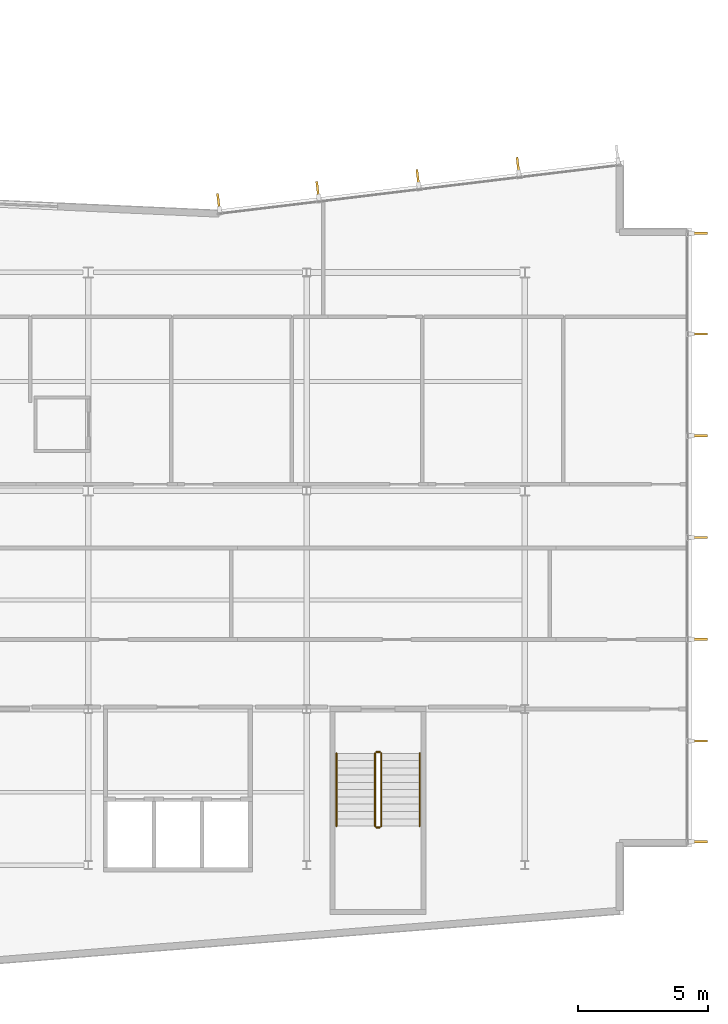
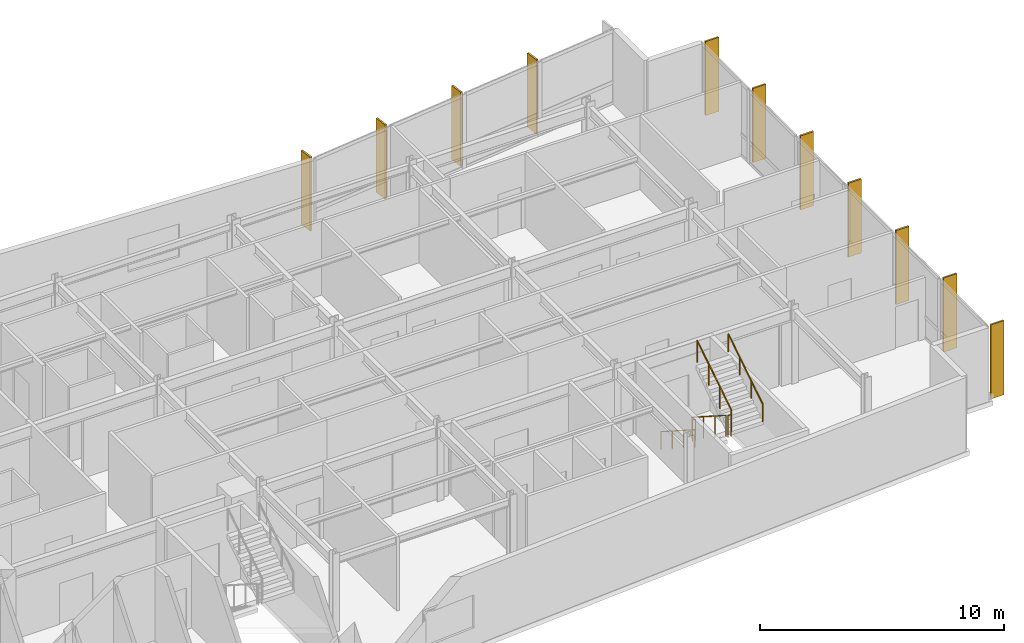
# One storey, part 16 of 18: 11 shading devices, 6 railings.
"""IFC4 building model written with IfcOpenShell, lengths in metres."""

from ifc_helpers import new_model, si_unit, direction, frame, origin, origin_2d, place, context, subcontext, project, spatial, rectangle, circle, extrude, material, layer, layer_set, type_object, element, save


model = new_model("IFC4")

# Units and contexts
model_context = context("Model", 3, precision=1e-05, world=origin(), true_north=direction((0.0, 1.0)))
body_context = subcontext(model_context, "Body", "Model", "MODEL_VIEW")
ifc_project = project(units=[si_unit("LENGTHUNIT", "METRE"), si_unit("AREAUNIT", "SQUARE_METRE"), si_unit("VOLUMEUNIT", "CUBIC_METRE"), si_unit("PLANEANGLEUNIT", "RADIAN"), si_unit("MASSUNIT", "GRAM", prefix="KILO")], contexts=[model_context])

# Site, building, storey
site_placement = place(None, origin())
site = spatial("IfcSite", under=ifc_project, at=site_placement, CompositionType="ELEMENT")
building_placement = place(site_placement, origin())
building = spatial("IfcBuilding", under=site, at=building_placement, Name="Varnakote Quay Hospital", CompositionType="ELEMENT")
storey_placement = place(building_placement, frame((0.0, 0.0, 119.14990234375)))
storey = spatial("IfcBuildingStorey", under=building, at=storey_placement, Name="L29", CompositionType="ELEMENT", Elevation=119.14990234375)

# Railings
ifc_material_1 = material(Name="Brushed stainless steel balustrade", Category="steel")
railing_type_1 = type_object("IfcRailingType", Name="RLG-STAIR-GUARD-1150", PredefinedType="GUARDRAIL", material=ifc_material_1)
railing_1_placement = place(storey_placement, frame((44.6298828125, 10.300048828125, 0.1796875)))
element("IfcRailing", 1, at=railing_1_placement, inside=storey, type_object=railing_type_1, Name="L29 ST-03 stair guard 1", PredefinedType="GUARDRAIL", context=body_context, shape_type="SweptSolid", body=[
    extrude(circle(Radius=0.02392578125, at=origin_2d()), frame((0.0, 0.0, 1.076171875), z_axis=(0.0, -0.841809871826, 0.539774156196), x_axis=(1.0, 0.0, 0.0)), (0.0, 0.0, 1.0), 3.326171875),
    extrude(circle(Radius=0.02099609375, at=origin_2d()), origin(), (0.0, 0.0, 1.0), 1.052001953125),
    extrude(circle(Radius=0.02099609375, at=origin_2d()), frame((0.0, -0.933349609375, 0.598388671875)), (0.0, 0.0, 1.0), 1.052001953125),
    extrude(circle(Radius=0.02099609375, at=origin_2d()), frame((0.0, -1.86669921875, 1.197021484375)), (0.0, 0.0, 1.0), 1.052001953125),
    extrude(circle(Radius=0.02099609375, at=origin_2d()), frame((0.0, -2.800048828125, 1.79541015625)), (0.0, 0.0, 1.0), 1.052001953125),
])
railing_2_placement = place(storey_placement, frame((44.679931640625, 7.449951171875, 1.97509765625)))
element("IfcRailing", 2, at=railing_2_placement, inside=storey, type_object=railing_type_1, Name="L29 ST-03 stair guard 2", PredefinedType="GUARDRAIL", context=body_context, shape_type="SweptSolid", body=[
    extrude(circle(Radius=0.02392578125, at=origin_2d()), frame((0.0, 0.0, 1.076171875), z_axis=(1.0, 0.0, 0.0), x_axis=(0.0, 1.0, 0.0)), (0.0, 0.0, 1.0), 0.14013671875),
    extrude(circle(Radius=0.02099609375, at=origin_2d()), origin(), (0.0, 0.0, 1.0), 1.052001953125),
    extrude(circle(Radius=0.02099609375, at=origin_2d()), frame((0.14013671875, 0.0, 0.0)), (0.0, 0.0, 1.0), 1.052001953125),
])
railing_3_placement = place(storey_placement, frame((44.8701171875, 7.5, 2.154541015625)))
element("IfcRailing", 3, at=railing_3_placement, inside=storey, type_object=railing_type_1, Name="L29 ST-03 stair guard 3", PredefinedType="GUARDRAIL", context=body_context, shape_type="SweptSolid", body=[
    extrude(circle(Radius=0.02392578125, at=origin_2d()), frame((0.0, 0.0, 1.076171875), z_axis=(0.0, 0.841776520102, 0.539826166654), x_axis=(-1.0, 0.0, 0.0)), (0.0, 0.0, 1.0), 3.326416015625),
    extrude(circle(Radius=0.02099609375, at=origin_2d()), origin(), (0.0, 0.0, 1.0), 1.052001953125),
    extrude(circle(Radius=0.02099609375, at=origin_2d()), frame((0.0, 0.933349609375, 0.5986328125)), (0.0, 0.0, 1.0), 1.052001953125),
    extrude(circle(Radius=0.02099609375, at=origin_2d()), frame((0.0, 1.86669921875, 1.197021484375)), (0.0, 0.0, 1.0), 1.052001953125),
    extrude(circle(Radius=0.02099609375, at=origin_2d()), frame((0.0, 2.800048828125, 1.795654296875)), (0.0, 0.0, 1.0), 1.052001953125),
])
railing_4_placement = place(storey_placement, frame((44.679931640625, 10.35009765625, 0.0)))
element("IfcRailing", 4, at=railing_4_placement, inside=storey, type_object=railing_type_1, Name="L29 ST-03 stair guard 4", PredefinedType="GUARDRAIL", context=body_context, shape_type="SweptSolid", body=[
    extrude(circle(Radius=0.02392578125, at=origin_2d()), frame((0.0, 0.0, 1.076171875), z_axis=(1.0, 0.0, 0.0), x_axis=(0.0, 1.0, 0.0)), (0.0, 0.0, 1.0), 0.14013671875),
    extrude(circle(Radius=0.02099609375, at=origin_2d()), origin(), (0.0, 0.0, 1.0), 1.052001953125),
    extrude(circle(Radius=0.02099609375, at=origin_2d()), frame((0.14013671875, 0.0, 0.0)), (0.0, 0.0, 1.0), 1.052001953125),
])
ifc_material_2 = material(Name="Brushed stainless steel handrail", Category="steel")
railing_type_2 = type_object("IfcRailingType", Name="RLG-STAIR-HND-920", PredefinedType="HANDRAIL", material=ifc_material_2)
railing_5_placement = place(storey_placement, frame((43.14990234375, 10.300048828125, 0.1796875)))
element("IfcRailing", 5, at=railing_5_placement, inside=storey, type_object=railing_type_2, Name="L29 ST-03 stair handrail 1", PredefinedType="HANDRAIL", context=body_context, shape_type="SweptSolid", body=[
    extrude(circle(Radius=0.02392578125, at=origin_2d()), frame((0.0, 0.0, 0.8759765625), z_axis=(0.0, -0.841809871826, 0.539774156196), x_axis=(1.0, 0.0, 0.0)), (0.0, 0.0, 1.0), 3.326171875),
    extrude(circle(Radius=0.02099609375, at=origin_2d()), origin(), (0.0, 0.0, 1.0), 0.851806640625),
    extrude(circle(Radius=0.02099609375, at=origin_2d()), frame((0.0, -0.933349609375, 0.598388671875)), (0.0, 0.0, 1.0), 0.851806640625),
    extrude(circle(Radius=0.02099609375, at=origin_2d()), frame((0.0, -1.86669921875, 1.197021484375)), (0.0, 0.0, 1.0), 0.851806640625),
    extrude(circle(Radius=0.02099609375, at=origin_2d()), frame((0.0, -2.800048828125, 1.79541015625)), (0.0, 0.0, 1.0), 0.851806640625),
])
railing_6_placement = place(storey_placement, frame((46.35009765625, 7.5, 2.154541015625)))
element("IfcRailing", 6, at=railing_6_placement, inside=storey, type_object=railing_type_2, Name="L29 ST-03 stair handrail 2", PredefinedType="HANDRAIL", context=body_context, shape_type="SweptSolid", body=[
    extrude(circle(Radius=0.02392578125, at=origin_2d()), frame((0.0, 0.0, 0.8759765625), z_axis=(0.0, 0.841776520102, 0.539826166654), x_axis=(-1.0, 0.0, 0.0)), (0.0, 0.0, 1.0), 3.326416015625),
    extrude(circle(Radius=0.02099609375, at=origin_2d()), origin(), (0.0, 0.0, 1.0), 0.851806640625),
    extrude(circle(Radius=0.02099609375, at=origin_2d()), frame((0.0, 0.933349609375, 0.5986328125)), (0.0, 0.0, 1.0), 0.851806640625),
    extrude(circle(Radius=0.02099609375, at=origin_2d()), frame((0.0, 1.86669921875, 1.197021484375)), (0.0, 0.0, 1.0), 0.851806640625),
    extrude(circle(Radius=0.02099609375, at=origin_2d()), frame((0.0, 2.800048828125, 1.795654296875)), (0.0, 0.0, 1.0), 0.851806640625),
])

# Shading devices
ifc_material_3 = material(Name="Anodised aluminium 6063-T6 Bronze", Category="aluminium")
ifc_layer = layer(ifc_material_3, 0.0849609375)
ifc_layer_set = layer_set([ifc_layer], Name="Anodised aluminium 6063-T6 Bronze")
shading_device_type = type_object("IfcShadingDeviceType", Name="SHD-BRONZE-FIN-620", PredefinedType="USERDEFINED", material=ifc_layer_set)
for number, where, z_axis, x_axis, name in (
    (7, (57.110107421875, 6.8974609375, 0.0), (0.0, 0.0, 1.0), (-1.0, 0.0, 0.0), "L29 Anodised Bronze Vertical Shading FIN"),
    (8, (57.110107421875, 10.773193359375, 0.0), (0.0, 0.0, 1.0), (-1.0, 0.0, 0.0), "L29 Anodised Bronze Vertical Shading FIN"),
    (9, (57.110107421875, 14.686767578125, 0.0), (0.0, 0.0, 1.0), (-1.0, 0.0, 0.0), "L29 Anodised Bronze Vertical Shading FIN"),
    (10, (57.110107421875, 18.60009765625, 0.0), (0.0, 0.0, 1.0), (-1.0, 0.0, 0.0), "L29 Anodised Bronze Vertical Shading FIN"),
    (11, (57.110107421875, 22.51318359375, 0.0), (0.0, 0.0, 1.0), (-1.0, 0.0, 0.0), "L29 Anodised Bronze Vertical Shading FIN"),
    (12, (57.110107421875, 26.4267578125, 0.0), (0.0, 0.0, 1.0), (-1.0, 0.0, 0.0), "L29 Anodised Bronze Vertical Shading FIN"),
    (13, (57.110107421875, 30.302490234375, 0.0), (0.0, 0.0, 1.0), (-1.0, 0.0, 0.0), "L29 Anodised Bronze Vertical Shading FIN"),
    (14, (50.131103515625, 32.9189453125, 0.0), (0.0, 0.0, 1.0), (0.120310105847, -0.992736358975, 0.0), "L29 Anodised Bronze Vertical Shading FIN"),
    (15, (46.278564453125, 32.4521484375, 0.0), (0.0, 0.0, 1.0), (0.120310105847, -0.992736358975, 0.0), "L29 Anodised Bronze Vertical Shading FIN"),
    (16, (42.426025390625, 31.985107421875, 0.0), (0.0, 0.0, 1.0), (0.120310105847, -0.992736358975, 0.0), "L29 Anodised Bronze Vertical Shading FIN"),
    (17, (38.61083984375, 31.522705078125, 0.0), (0.0, 0.0, 1.0), (0.120310105847, -0.992736358975, 0.0), "L29 Anodised Bronze Vertical Shading FIN"),
):
    element("IfcShadingDevice", number, at=place(storey_placement, frame(where, z_axis=z_axis, x_axis=x_axis)), inside=storey, type_object=shading_device_type, Name=name, ObjectType="FIN", PredefinedType="USERDEFINED", context=body_context, shape_type="SweptSolid", body=[
        extrude(rectangle(XDim=0.6201171875, YDim=0.0849609375, at=origin_2d()), origin(), (0.0, 0.0, 1.0), 3.7099609375),
    ])

save(model, "model.ifc")
